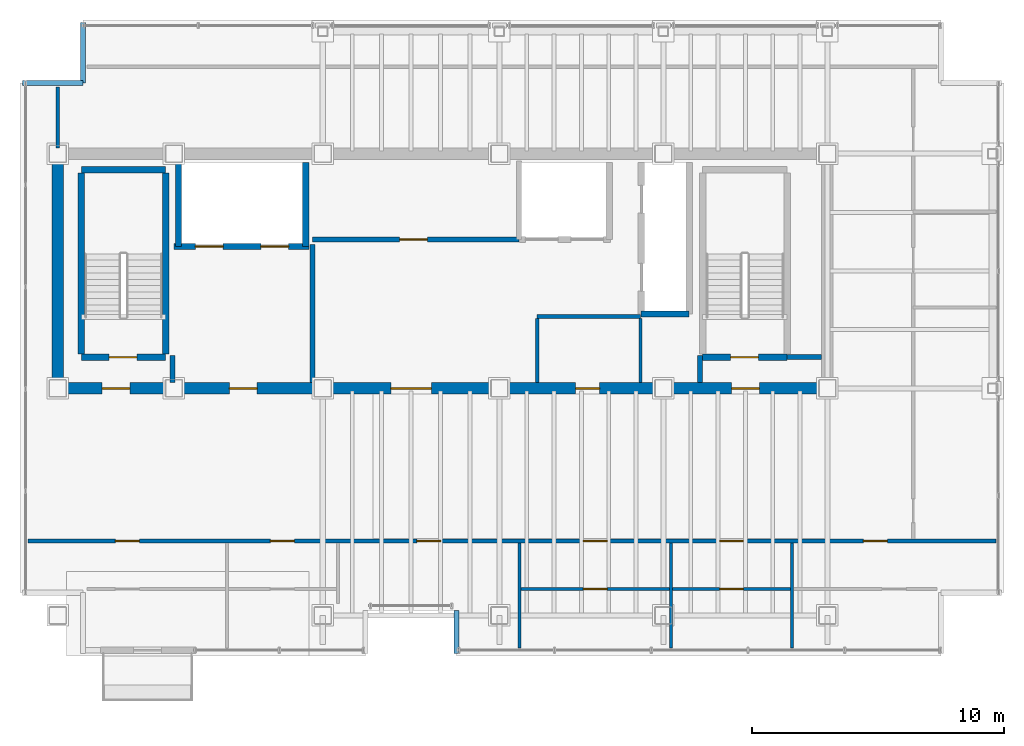
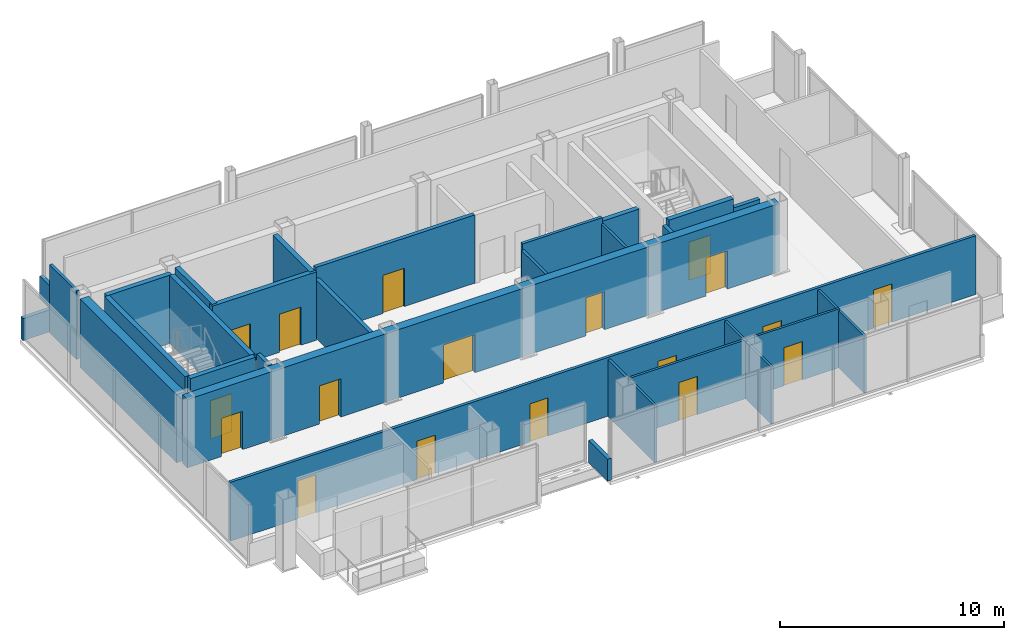
# One storey, part 15 of 17: 29 walls, 18 doors, 18 openings.
"""IFC4 building model written with IfcOpenShell, lengths in metres."""

from ifc_helpers import new_model, si_unit, direction, frame, frame_2d, origin, place, context, subcontext, project, spatial, rectangle, extrude, material, layer, layer_set, type_object, element, fill, save


model = new_model("IFC4")

# Units and contexts
model_context = context("Model", 3, precision=1e-05, world=origin(), true_north=direction((0.0, 1.0)))
body_context = subcontext(model_context, "Body", "Model", "MODEL_VIEW")
ifc_project = project(units=[si_unit("LENGTHUNIT", "METRE"), si_unit("AREAUNIT", "SQUARE_METRE"), si_unit("VOLUMEUNIT", "CUBIC_METRE"), si_unit("PLANEANGLEUNIT", "RADIAN"), si_unit("MASSUNIT", "GRAM", prefix="KILO")], contexts=[model_context])

# Site, building, storey
site_placement = place(None, origin())
site = spatial("IfcSite", under=ifc_project, at=site_placement, CompositionType="ELEMENT")
building_placement = place(site_placement, origin())
building = spatial("IfcBuilding", under=site, at=building_placement, Name="Noeulbin Bourse Tower", CompositionType="ELEMENT")
storey_placement = place(building_placement, frame((0.0, 0.0, 296.89990234375)))
storey = spatial("IfcBuildingStorey", under=building, at=storey_placement, Name="L74", CompositionType="ELEMENT", Elevation=296.89990234375)

# Wall, openings, doors
ifc_material_1 = material(Name="Concrete C50/60", Category="concrete")
ifc_layer_1 = layer(ifc_material_1, 0.449951171875)
ifc_layer_set_1 = layer_set([ifc_layer_1], Name="Concrete C50/60")
wall_type_1 = type_object("IfcWallType", Name="WAL-CORE-450", PredefinedType="SHEAR", material=ifc_layer_set_1)
wall_1_placement = place(storey_placement, frame((13.5, 29.0, 0.0), z_axis=(0.0, 0.0, 1.0), x_axis=(1.0, 0.0, 0.0)))
wall_1 = element("IfcWall", 1, at=wall_1_placement, inside=storey, type_object=wall_type_1, Name="Rear Core South Shear Wall L74", PredefinedType="SHEAR", context=body_context, shape_type="SweptSolid", body=[
    extrude(rectangle(XDim=30.5, YDim=0.449951171875, at=frame_2d((15.25, 0.0))), origin(), (0.0, 0.0, 1.0), 3.72021484375),
])
opening_1_placement = place(wall_1_placement, frame((1.75, 0.0, 0.0)))
opening_1 = element("IfcOpeningElement", 2, at=opening_1_placement, cuts=wall_1, Name="Opening FD-11", PredefinedType="OPENING", context=body_context, shape_type="SweptSolid", body=[
    extrude(rectangle(XDim=1.10009765625, YDim=2.080078125, at=frame_2d((0.550048828125, 1.0400390625))), frame((0.0, 0.23486328125, 0.0), z_axis=(0.0, -1.0, 0.0), x_axis=(1.0, 0.0, 0.0)), (0.0, 0.0, 1.0), 0.469970703125),
])
opening_2_placement = place(wall_1_placement, frame((26.699951171875, 0.0, 0.0)))
opening_2 = element("IfcOpeningElement", 3, at=opening_2_placement, cuts=wall_1, Name="Opening FD-11", PredefinedType="OPENING", context=body_context, shape_type="SweptSolid", body=[
    extrude(rectangle(XDim=1.10009765625, YDim=2.080078125, at=frame_2d((0.550048828125, 1.0400390625))), frame((0.0, 0.23486328125, 0.0), z_axis=(0.0, -1.0, 0.0), x_axis=(1.0, 0.0, 0.0)), (0.0, 0.0, 1.0), 0.469970703125),
])
opening_3_placement = place(wall_1_placement, frame((6.800048828125, 0.0, 0.0)))
opening_3 = element("IfcOpeningElement", 4, at=opening_3_placement, cuts=wall_1, Name="Opening FD-11", PredefinedType="OPENING", context=body_context, shape_type="SweptSolid", body=[
    extrude(rectangle(XDim=1.10009765625, YDim=2.080078125, at=frame_2d((0.550048828125, 1.0400390625))), frame((0.0, 0.23486328125, 0.0), z_axis=(0.0, -1.0, 0.0), x_axis=(1.0, 0.0, 0.0)), (0.0, 0.0, 1.0), 0.469970703125),
])
opening_4_placement = place(wall_1_placement, frame((13.199951171875, 0.0, 0.0)))
opening_4 = element("IfcOpeningElement", 5, at=opening_4_placement, cuts=wall_1, Name="Opening ID-16", PredefinedType="OPENING", context=body_context, shape_type="SweptSolid", body=[
    extrude(rectangle(XDim=1.60009765625, YDim=2.080078125, at=frame_2d((0.800048828125, 1.0400390625))), frame((0.0, 0.23486328125, 0.0), z_axis=(0.0, -1.0, 0.0), x_axis=(1.0, 0.0, 0.0)), (0.0, 0.0, 1.0), 0.469970703125),
])
opening_5_placement = place(wall_1_placement, frame((20.52490234375, 0.0, 0.0)))
opening_5 = element("IfcOpeningElement", 6, at=opening_5_placement, cuts=wall_1, Name="Opening ID-09", PredefinedType="OPENING", context=body_context, shape_type="SweptSolid", body=[
    extrude(rectangle(XDim=0.949951171875, YDim=2.080078125, at=frame_2d((0.47509765625, 1.0400390625))), frame((0.0, 0.23486328125, 0.0), z_axis=(0.0, -1.0, 0.0), x_axis=(1.0, 0.0, 0.0)), (0.0, 0.0, 1.0), 0.469970703125),
])
ifc_material_2 = material(Name="Acoustic Glazed Aluminium", Category="aluminium")
door_type_1 = type_object("IfcDoorType", Name="DR-DBL-1600", OperationType="DOUBLE_DOOR_SINGLE_SWING", PredefinedType="DOOR", material=ifc_material_2)
door_1_placement = place(opening_4_placement, origin())
door_1 = element("IfcDoor", 7, at=door_1_placement, inside=storey, type_object=door_type_1, Name="Passenger Lift Lobby Portal L74", OperationType="DOUBLE_DOOR_SINGLE_SWING", OverallHeight=2.080078125, OverallWidth=1.60009765625, PredefinedType="DOOR", context=body_context, shape_type="SweptSolid", body=[
    extrude(rectangle(XDim=1.60009765625, YDim=2.080078125, at=frame_2d((0.800048828125, 1.0400390625))), frame((0.0, 0.02490234375, 0.0), z_axis=(0.0, -1.0, 0.0), x_axis=(1.0, 0.0, 0.0)), (0.0, 0.0, 1.0), 0.050048828125),
])
fill(opening_4, door_1)
ifc_material_3 = material(Name="Fire-Rated Insulated Steel", Category="steel")
door_type_2 = type_object("IfcDoorType", Name="DR-FD60-1100", OperationType="SINGLE_SWING_LEFT", PredefinedType="DOOR", material=ifc_material_3)
door_2_placement = place(opening_1_placement, origin())
door_2 = element("IfcDoor", 8, at=door_2_placement, inside=storey, type_object=door_type_2, Name="West Stair Lobby Door L74", OperationType="SINGLE_SWING_RIGHT", OverallHeight=2.080078125, OverallWidth=1.10009765625, PredefinedType="DOOR", context=body_context, shape_type="SweptSolid", body=[
    extrude(rectangle(XDim=1.10009765625, YDim=2.080078125, at=frame_2d((0.550048828125, 1.0400390625))), frame((0.0, 0.02490234375, 0.0), z_axis=(0.0, -1.0, 0.0), x_axis=(1.0, 0.0, 0.0)), (0.0, 0.0, 1.0), 0.050048828125),
])
fill(opening_1, door_2)
door_3_placement = place(opening_2_placement, origin())
door_3 = element("IfcDoor", 9, at=door_3_placement, inside=storey, type_object=door_type_2, Name="East Stair Lobby Door L74", OperationType="SINGLE_SWING_LEFT", OverallHeight=2.080078125, OverallWidth=1.10009765625, PredefinedType="DOOR", context=body_context, shape_type="SweptSolid", body=[
    extrude(rectangle(XDim=1.10009765625, YDim=2.080078125, at=frame_2d((0.550048828125, 1.0400390625))), frame((0.0, 0.02490234375, 0.0), z_axis=(0.0, -1.0, 0.0), x_axis=(1.0, 0.0, 0.0)), (0.0, 0.0, 1.0), 0.050048828125),
])
fill(opening_2, door_3)
door_4_placement = place(opening_3_placement, origin())
door_4 = element("IfcDoor", 10, at=door_4_placement, inside=storey, type_object=door_type_2, Name="Firefighting Lobby Door L74", OperationType="SINGLE_SWING_RIGHT", OverallHeight=2.080078125, OverallWidth=1.10009765625, PredefinedType="DOOR", context=body_context, shape_type="SweptSolid", body=[
    extrude(rectangle(XDim=1.10009765625, YDim=2.080078125, at=frame_2d((0.550048828125, 1.0400390625))), frame((0.0, 0.02490234375, 0.0), z_axis=(0.0, -1.0, 0.0), x_axis=(1.0, 0.0, 0.0)), (0.0, 0.0, 1.0), 0.050048828125),
])
fill(opening_3, door_4)
ifc_material_4 = material(Name="Acoustic Solid-Core Timber", Category="wood")
door_type_3 = type_object("IfcDoorType", Name="DR-SINGLE-950", OperationType="SINGLE_SWING_LEFT", PredefinedType="DOOR", material=ifc_material_4)
door_5_placement = place(opening_5_placement, origin())
door_5 = element("IfcDoor", 11, at=door_5_placement, inside=storey, type_object=door_type_3, Name="Interior Door L74-06", OperationType="SINGLE_SWING_LEFT", OverallHeight=2.080078125, OverallWidth=0.949951171875, PredefinedType="DOOR", context=body_context, shape_type="SweptSolid", body=[
    extrude(rectangle(XDim=0.949951171875, YDim=2.080078125, at=frame_2d((0.47509765625, 1.0400390625))), frame((0.0, 0.02490234375, 0.0), z_axis=(0.0, -1.0, 0.0), x_axis=(1.0, 0.0, 0.0)), (0.0, 0.0, 1.0), 0.050048828125),
])
fill(opening_5, door_5)

# Walls
wall_2_placement = place(storey_placement, frame((13.5, 29.35009765625, 0.0), z_axis=(0.0, 0.0, 1.0), x_axis=(0.0, 1.0, 0.0)))
element("IfcWall", 12, at=wall_2_placement, inside=storey, type_object=wall_type_1, Name="Rear Core West Shear Wall L74", PredefinedType="SHEAR", context=body_context, shape_type="SweptSolid", body=[
    extrude(rectangle(XDim=8.599853515625, YDim=0.449951171875, at=frame_2d((4.2998046875, 0.0))), origin(), (0.0, 0.0, 1.0), 3.72021484375),
])
ifc_material_5 = material(Name="Concrete C40/50", Category="concrete")
ifc_layer_2 = layer(ifc_material_5, 0.199951171875)
ifc_layer_set_2 = layer_set([ifc_layer_2], Name="Concrete C40/50")
wall_type_2 = type_object("IfcWallType", Name="WAL-FIRE-200", PredefinedType="STANDARD", material=ifc_layer_set_2)
wall_3_placement = place(storey_placement, frame((42.39990234375, 30.239990234375, 0.0), z_axis=(0.0, 0.0, 1.0), x_axis=(1.0, 0.0, 0.0)))
element("IfcWall", 13, at=wall_3_placement, inside=storey, type_object=wall_type_2, Name="Interior Partition Wall L74-01", PredefinedType="STANDARD", context=body_context, shape_type="SweptSolid", body=[
    extrude(rectangle(XDim=1.364990234375, YDim=0.199951171875, at=frame_2d((0.6826171875, 0.0))), origin(), (0.0, 0.0, 1.0), 3.2001953125),
])

# Wall, opening, door
wall_4_placement = place(storey_placement, frame((23.60009765625, 34.89990234375, 0.0), z_axis=(0.0, 0.0, 1.0), x_axis=(1.0, 0.0, 0.0)))
wall_4 = element("IfcWall", 14, at=wall_4_placement, inside=storey, type_object=wall_type_2, Name="Interior Partition Wall L74-02", PredefinedType="STANDARD", context=body_context, shape_type="SweptSolid", body=[
    extrude(rectangle(XDim=8.179931640625, YDim=0.199951171875, at=frame_2d((4.08984375, 0.0))), origin(), (0.0, 0.0, 1.0), 3.72021484375),
])
opening_6_placement = place(wall_4_placement, frame((3.449951171875, 0.0, 0.0)))
opening_6 = element("IfcOpeningElement", 15, at=opening_6_placement, cuts=wall_4, Name="Opening FD-11", PredefinedType="OPENING", context=body_context, shape_type="SweptSolid", body=[
    extrude(rectangle(XDim=1.10009765625, YDim=2.080078125, at=frame_2d((0.550048828125, 1.0400390625))), frame((0.0, 0.10986328125, 0.0), z_axis=(0.0, -1.0, 0.0), x_axis=(1.0, 0.0, 0.0)), (0.0, 0.0, 1.0), 0.219970703125),
])
door_6_placement = place(opening_6_placement, origin())
door_6 = element("IfcDoor", 16, at=door_6_placement, inside=storey, type_object=door_type_2, Name="Telemetry Server Door L74", OperationType="SINGLE_SWING_RIGHT", OverallHeight=2.080078125, OverallWidth=1.10009765625, PredefinedType="DOOR", context=body_context, shape_type="SweptSolid", body=[
    extrude(rectangle(XDim=1.10009765625, YDim=2.080078125, at=frame_2d((0.550048828125, 1.0400390625))), frame((0.0, 0.02490234375, 0.0), z_axis=(0.0, -1.0, 0.0), x_axis=(1.0, 0.0, 0.0)), (0.0, 0.0, 1.0), 0.050048828125),
])
fill(opening_6, door_6)

# Walls
wall_5_placement = place(storey_placement, frame((18.050048828125, 29.235107421875, 0.0), z_axis=(0.0, 0.0, 1.0), x_axis=(0.0, 1.0, 0.0)))
element("IfcWall", 17, at=wall_5_placement, inside=storey, type_object=wall_type_2, Name="Interior Partition Wall L74-13", PredefinedType="STANDARD", context=body_context, shape_type="SweptSolid", body=[
    extrude(rectangle(XDim=1.06494140625, YDim=0.199951171875, at=frame_2d((0.532470703125, 0.0))), origin(), (0.0, 0.0, 1.0), 3.72021484375),
])
wall_6_placement = place(storey_placement, frame((38.949951171875, 29.235107421875, 0.0), z_axis=(0.0, 0.0, 1.0), x_axis=(0.0, 1.0, 0.0)))
element("IfcWall", 18, at=wall_6_placement, inside=storey, type_object=wall_type_2, Name="Interior Partition Wall L74-14", PredefinedType="STANDARD", context=body_context, shape_type="SweptSolid", body=[
    extrude(rectangle(XDim=1.06494140625, YDim=0.199951171875, at=frame_2d((0.532470703125, 0.0))), origin(), (0.0, 0.0, 1.0), 3.400146484375),
])
wall_7_placement = place(storey_placement, frame((23.60009765625, 29.235107421875, 0.0), z_axis=(0.0, 0.0, 1.0), x_axis=(0.0, 1.0, 0.0)))
element("IfcWall", 19, at=wall_7_placement, inside=storey, type_object=wall_type_2, Name="Interior Partition Wall L74-15", PredefinedType="STANDARD", context=body_context, shape_type="SweptSolid", body=[
    extrude(rectangle(XDim=5.46484375, YDim=0.199951171875, at=frame_2d((2.732421875, 0.0))), origin(), (0.0, 0.0, 1.0), 3.2001953125),
])
ifc_layer_3 = layer(ifc_material_5, 0.199951171875)
ifc_layer_set_3 = layer_set([ifc_layer_3], Name="Concrete C40/50")
wall_type_3 = type_object("IfcWallType", Name="WAL-PAR-200", PredefinedType="PARAPET", material=ifc_layer_set_3)
for number, where, z_axis, x_axis, name in (
    (20, (12.10009765625, 41.10009765625, 0.0), (0.0, 0.0, 1.0), (1.0, 0.0, 0.0), "Corner Notch Parapet L74-NW1"),
    (21, (14.5, 41.10009765625, 0.0), (0.0, 0.0, 1.0), (0.0, 1.0, 0.0), "Corner Notch Parapet L74-NW2"),
):
    element("IfcWall", number, at=place(storey_placement, frame(where, z_axis=z_axis, x_axis=x_axis)), inside=storey, type_object=wall_type_3, Name=name, PredefinedType="PARAPET", context=body_context, shape_type="SweptSolid", body=[
        extrude(rectangle(XDim=2.39990234375, YDim=0.199951171875, at=frame_2d((1.199951171875, 0.0))), origin(), (0.0, 0.0, 1.0), 1.2001953125),
    ])
wall_8_placement = place(storey_placement, frame((29.300048828125, 20.199951171875, 0.0), z_axis=(0.0, 0.0, 1.0), x_axis=(0.0, -1.0, 0.0)))
element("IfcWall", 22, at=wall_8_placement, inside=storey, type_object=wall_type_3, Name="Sky-Garden Recess Parapet L74-E", PredefinedType="PARAPET", context=body_context, shape_type="SweptSolid", body=[
    extrude(rectangle(XDim=1.699951171875, YDim=0.199951171875, at=frame_2d((0.85009765625, 0.0))), origin(), (0.0, 0.0, 1.0), 1.2001953125),
])

# Wall, opening, door
ifc_material_6 = material(Name="Steel Stud Gypsum Partition", Category="steel")
ifc_layer_4 = layer(ifc_material_6, 0.1201171875)
ifc_layer_set_4 = layer_set([ifc_layer_4], Name="Steel Stud Gypsum Partition")
wall_type_4 = type_object("IfcWallType", Name="WAL-PRT-120", PredefinedType="PARTITIONING", material=ifc_layer_set_4)
wall_9_placement = place(storey_placement, frame((31.800048828125, 21.050048828125, 0.0), z_axis=(0.0, 0.0, 1.0), x_axis=(1.0, 0.0, 0.0)))
wall_9 = element("IfcWall", 23, at=wall_9_placement, inside=storey, type_object=wall_type_4, Name="Interior Partition Wall L74-07", PredefinedType="PARTITIONING", context=body_context, shape_type="SweptSolid", body=[
    extrude(rectangle(XDim=6.0, YDim=0.1201171875, at=frame_2d((3.0, 0.0))), origin(), (0.0, 0.0, 1.0), 3.2001953125),
])
opening_7_placement = place(wall_9_placement, frame((2.52490234375, 0.0, 0.0)))
opening_7 = element("IfcOpeningElement", 24, at=opening_7_placement, cuts=wall_9, Name="Opening ID-09", PredefinedType="OPENING", context=body_context, shape_type="SweptSolid", body=[
    extrude(rectangle(XDim=0.949951171875, YDim=2.080078125, at=frame_2d((0.47509765625, 1.0400390625))), frame((0.0, 0.070068359375, 0.0), z_axis=(0.0, -1.0, 0.0), x_axis=(1.0, 0.0, 0.0)), (0.0, 0.0, 1.0), 0.14013671875),
])
door_7_placement = place(opening_7_placement, origin())
door_7 = element("IfcDoor", 25, at=door_7_placement, inside=storey, type_object=door_type_3, Name="Interior Door L74-12", OperationType="SINGLE_SWING_LEFT", OverallHeight=2.080078125, OverallWidth=0.949951171875, PredefinedType="DOOR", context=body_context, shape_type="SweptSolid", body=[
    extrude(rectangle(XDim=0.949951171875, YDim=2.080078125, at=frame_2d((0.47509765625, 1.0400390625))), frame((0.0, 0.02490234375, 0.0), z_axis=(0.0, -1.0, 0.0), x_axis=(1.0, 0.0, 0.0)), (0.0, 0.0, 1.0), 0.050048828125),
])
fill(opening_7, door_7)

wall_10_placement = place(storey_placement, frame((37.800048828125, 21.050048828125, 0.0), z_axis=(0.0, 0.0, 1.0), x_axis=(1.0, 0.0, 0.0)))
wall_10 = element("IfcWall", 26, at=wall_10_placement, inside=storey, type_object=wall_type_4, Name="Interior Partition Wall L74-08", PredefinedType="PARTITIONING", context=body_context, shape_type="SweptSolid", body=[
    extrude(rectangle(XDim=4.800048828125, YDim=0.1201171875, at=frame_2d((2.39990234375, 0.0))), origin(), (0.0, 0.0, 1.0), 3.2001953125),
])
opening_8_placement = place(wall_10_placement, frame((1.925048828125, 0.0, 0.0)))
opening_8 = element("IfcOpeningElement", 27, at=opening_8_placement, cuts=wall_10, Name="Opening ID-09", PredefinedType="OPENING", context=body_context, shape_type="SweptSolid", body=[
    extrude(rectangle(XDim=0.949951171875, YDim=2.080078125, at=frame_2d((0.47509765625, 1.0400390625))), frame((0.0, 0.070068359375, 0.0), z_axis=(0.0, -1.0, 0.0), x_axis=(1.0, 0.0, 0.0)), (0.0, 0.0, 1.0), 0.14013671875),
])
door_8_placement = place(opening_8_placement, origin())
door_8 = element("IfcDoor", 28, at=door_8_placement, inside=storey, type_object=door_type_3, Name="Interior Door L74-14", OperationType="SINGLE_SWING_LEFT", OverallHeight=2.080078125, OverallWidth=0.949951171875, PredefinedType="DOOR", context=body_context, shape_type="SweptSolid", body=[
    extrude(rectangle(XDim=0.949951171875, YDim=2.080078125, at=frame_2d((0.47509765625, 1.0400390625))), frame((0.0, 0.02490234375, 0.0), z_axis=(0.0, -1.0, 0.0), x_axis=(1.0, 0.0, 0.0)), (0.0, 0.0, 1.0), 0.050048828125),
])
fill(opening_8, door_8)

# Walls
wall_11_placement = place(storey_placement, frame((36.60009765625, 29.235107421875, 0.0), z_axis=(0.0, 0.0, 1.0), x_axis=(0.0, 1.0, 0.0)))
element("IfcWall", 29, at=wall_11_placement, inside=storey, type_object=wall_type_4, Name="Interior Partition Wall L74-17", PredefinedType="PARTITIONING", context=body_context, shape_type="SweptSolid", body=[
    extrude(rectangle(XDim=2.52978515625, YDim=0.1201171875, at=frame_2d((1.264892578125, 0.0))), origin(), (0.0, 0.0, 1.0), 3.400146484375),
])
for number, where, z_axis, x_axis, name in (
    (30, (31.800048828125, 18.7099609375, 0.0), (0.0, 0.0, 1.0), (0.0, 1.0, 0.0), "Interior Partition Wall L74-21"),
    (31, (37.800048828125, 18.7099609375, 0.0), (0.0, 0.0, 1.0), (0.0, 1.0, 0.0), "Interior Partition Wall L74-22"),
    (32, (42.60009765625, 18.7099609375, 0.0), (0.0, 0.0, 1.0), (0.0, 1.0, 0.0), "Interior Partition Wall L74-23"),
):
    element("IfcWall", number, at=place(storey_placement, frame(where, z_axis=z_axis, x_axis=x_axis)), inside=storey, type_object=wall_type_4, Name=name, PredefinedType="PARTITIONING", context=body_context, shape_type="SweptSolid", body=[
        extrude(rectangle(XDim=4.155029296875, YDim=0.1201171875, at=frame_2d((2.07763671875, 0.0))), origin(), (0.0, 0.0, 1.0), 3.10009765625),
    ])
ifc_material_7 = material(Name="Steel Stud Acoustic Gypsum Board", Category="steel")
ifc_layer_5 = layer(ifc_material_7, 0.14990234375)
ifc_layer_set_5 = layer_set([ifc_layer_5], Name="Steel Stud Acoustic Gypsum Board")
wall_type_5 = type_object("IfcWallType", Name="WAL-PRT-150", PredefinedType="PARTITIONING", material=ifc_layer_set_5)
wall_12_placement = place(storey_placement, frame((32.5, 31.85009765625, 0.0), z_axis=(0.0, 0.0, 1.0), x_axis=(1.0, 0.0, 0.0)))
element("IfcWall", 33, at=wall_12_placement, inside=storey, type_object=wall_type_5, Name="Interior Partition Wall L74-03", PredefinedType="PARTITIONING", context=body_context, shape_type="SweptSolid", body=[
    extrude(rectangle(XDim=4.10009765625, YDim=0.14990234375, at=frame_2d((2.050048828125, 0.0))), origin(), (0.0, 0.0, 1.0), 3.72021484375),
])

# Wall, openings, doors
wall_13_placement = place(storey_placement, frame((12.31005859375, 22.949951171875, 0.0), z_axis=(0.0, 0.0, 1.0), x_axis=(1.0, 0.0, 0.0)))
wall_13 = element("IfcWall", 34, at=wall_13_placement, inside=storey, type_object=wall_type_5, Name="Interior Partition Wall L74-04", PredefinedType="PARTITIONING", context=body_context, shape_type="SweptSolid", body=[
    extrude(rectangle(XDim=38.3798828125, YDim=0.14990234375, at=frame_2d((19.18994140625, 0.0))), origin(), (0.0, 0.0, 1.0), 3.2001953125),
])
opening_9_placement = place(wall_13_placement, frame((3.469970703125, 0.0, 0.0)))
opening_9 = element("IfcOpeningElement", 35, at=opening_9_placement, cuts=wall_13, Name="Opening ID-09", PredefinedType="OPENING", context=body_context, shape_type="SweptSolid", body=[
    extrude(rectangle(XDim=0.949951171875, YDim=2.080078125, at=frame_2d((0.47509765625, 1.0400390625))), frame((0.0, 0.0849609375, 0.0), z_axis=(0.0, -1.0, 0.0), x_axis=(1.0, 0.0, 0.0)), (0.0, 0.0, 1.0), 0.169921875),
])
opening_10_placement = place(wall_13_placement, frame((9.614990234375, 0.0, 0.0)))
opening_10 = element("IfcOpeningElement", 36, at=opening_10_placement, cuts=wall_13, Name="Opening ID-09", PredefinedType="OPENING", context=body_context, shape_type="SweptSolid", body=[
    extrude(rectangle(XDim=0.949951171875, YDim=2.080078125, at=frame_2d((0.47509765625, 1.0400390625))), frame((0.0, 0.0849609375, 0.0), z_axis=(0.0, -1.0, 0.0), x_axis=(1.0, 0.0, 0.0)), (0.0, 0.0, 1.0), 0.169921875),
])
opening_11_placement = place(wall_13_placement, frame((15.4150390625, 0.0, 0.0)))
opening_11 = element("IfcOpeningElement", 37, at=opening_11_placement, cuts=wall_13, Name="Opening ID-09", PredefinedType="OPENING", context=body_context, shape_type="SweptSolid", body=[
    extrude(rectangle(XDim=0.949951171875, YDim=2.080078125, at=frame_2d((0.47509765625, 1.0400390625))), frame((0.0, 0.0849609375, 0.0), z_axis=(0.0, -1.0, 0.0), x_axis=(1.0, 0.0, 0.0)), (0.0, 0.0, 1.0), 0.169921875),
])
opening_12_placement = place(wall_13_placement, frame((22.014892578125, 0.0, 0.0)))
opening_12 = element("IfcOpeningElement", 38, at=opening_12_placement, cuts=wall_13, Name="Opening ID-09", PredefinedType="OPENING", context=body_context, shape_type="SweptSolid", body=[
    extrude(rectangle(XDim=0.949951171875, YDim=2.080078125, at=frame_2d((0.47509765625, 1.0400390625))), frame((0.0, 0.0849609375, 0.0), z_axis=(0.0, -1.0, 0.0), x_axis=(1.0, 0.0, 0.0)), (0.0, 0.0, 1.0), 0.169921875),
])
opening_13_placement = place(wall_13_placement, frame((27.4150390625, 0.0, 0.0)))
opening_13 = element("IfcOpeningElement", 39, at=opening_13_placement, cuts=wall_13, Name="Opening ID-09", PredefinedType="OPENING", context=body_context, shape_type="SweptSolid", body=[
    extrude(rectangle(XDim=0.949951171875, YDim=2.080078125, at=frame_2d((0.47509765625, 1.0400390625))), frame((0.0, 0.0849609375, 0.0), z_axis=(0.0, -1.0, 0.0), x_axis=(1.0, 0.0, 0.0)), (0.0, 0.0, 1.0), 0.169921875),
])
opening_14_placement = place(wall_13_placement, frame((33.114990234375, 0.0, 0.0)))
opening_14 = element("IfcOpeningElement", 40, at=opening_14_placement, cuts=wall_13, Name="Opening ID-09", PredefinedType="OPENING", context=body_context, shape_type="SweptSolid", body=[
    extrude(rectangle(XDim=0.949951171875, YDim=2.080078125, at=frame_2d((0.47509765625, 1.0400390625))), frame((0.0, 0.0849609375, 0.0), z_axis=(0.0, -1.0, 0.0), x_axis=(1.0, 0.0, 0.0)), (0.0, 0.0, 1.0), 0.169921875),
])
door_9_placement = place(opening_9_placement, origin())
door_9 = element("IfcDoor", 41, at=door_9_placement, inside=storey, type_object=door_type_3, Name="Interior Door L74-08", OperationType="SINGLE_SWING_LEFT", OverallHeight=2.080078125, OverallWidth=0.949951171875, PredefinedType="DOOR", context=body_context, shape_type="SweptSolid", body=[
    extrude(rectangle(XDim=0.949951171875, YDim=2.080078125, at=frame_2d((0.47509765625, 1.0400390625))), frame((0.0, 0.02490234375, 0.0), z_axis=(0.0, -1.0, 0.0), x_axis=(1.0, 0.0, 0.0)), (0.0, 0.0, 1.0), 0.050048828125),
])
fill(opening_9, door_9)
door_10_placement = place(opening_10_placement, origin())
door_10 = element("IfcDoor", 42, at=door_10_placement, inside=storey, type_object=door_type_3, Name="Interior Door L74-10", OperationType="SINGLE_SWING_LEFT", OverallHeight=2.080078125, OverallWidth=0.949951171875, PredefinedType="DOOR", context=body_context, shape_type="SweptSolid", body=[
    extrude(rectangle(XDim=0.949951171875, YDim=2.080078125, at=frame_2d((0.47509765625, 1.0400390625))), frame((0.0, 0.02490234375, 0.0), z_axis=(0.0, -1.0, 0.0), x_axis=(1.0, 0.0, 0.0)), (0.0, 0.0, 1.0), 0.050048828125),
])
fill(opening_10, door_10)
door_11_placement = place(opening_11_placement, origin())
door_11 = element("IfcDoor", 43, at=door_11_placement, inside=storey, type_object=door_type_3, Name="Interior Door L74-11", OperationType="SINGLE_SWING_RIGHT", OverallHeight=2.080078125, OverallWidth=0.949951171875, PredefinedType="DOOR", context=body_context, shape_type="SweptSolid", body=[
    extrude(rectangle(XDim=0.949951171875, YDim=2.080078125, at=frame_2d((0.47509765625, 1.0400390625))), frame((0.0, 0.02490234375, 0.0), z_axis=(0.0, -1.0, 0.0), x_axis=(1.0, 0.0, 0.0)), (0.0, 0.0, 1.0), 0.050048828125),
])
fill(opening_11, door_11)
door_12_placement = place(opening_12_placement, origin())
door_12 = element("IfcDoor", 44, at=door_12_placement, inside=storey, type_object=door_type_3, Name="Interior Door L74-13", OperationType="SINGLE_SWING_RIGHT", OverallHeight=2.080078125, OverallWidth=0.949951171875, PredefinedType="DOOR", context=body_context, shape_type="SweptSolid", body=[
    extrude(rectangle(XDim=0.949951171875, YDim=2.080078125, at=frame_2d((0.47509765625, 1.0400390625))), frame((0.0, 0.02490234375, 0.0), z_axis=(0.0, -1.0, 0.0), x_axis=(1.0, 0.0, 0.0)), (0.0, 0.0, 1.0), 0.050048828125),
])
fill(opening_12, door_12)
door_13_placement = place(opening_13_placement, origin())
door_13 = element("IfcDoor", 45, at=door_13_placement, inside=storey, type_object=door_type_3, Name="Interior Door L74-15", OperationType="SINGLE_SWING_RIGHT", OverallHeight=2.080078125, OverallWidth=0.949951171875, PredefinedType="DOOR", context=body_context, shape_type="SweptSolid", body=[
    extrude(rectangle(XDim=0.949951171875, YDim=2.080078125, at=frame_2d((0.47509765625, 1.0400390625))), frame((0.0, 0.02490234375, 0.0), z_axis=(0.0, -1.0, 0.0), x_axis=(1.0, 0.0, 0.0)), (0.0, 0.0, 1.0), 0.050048828125),
])
fill(opening_13, door_13)
door_14_placement = place(opening_14_placement, origin())
door_14 = element("IfcDoor", 46, at=door_14_placement, inside=storey, type_object=door_type_3, Name="Interior Door L74-17", OperationType="SINGLE_SWING_RIGHT", OverallHeight=2.080078125, OverallWidth=0.949951171875, PredefinedType="DOOR", context=body_context, shape_type="SweptSolid", body=[
    extrude(rectangle(XDim=0.949951171875, YDim=2.080078125, at=frame_2d((0.47509765625, 1.0400390625))), frame((0.0, 0.02490234375, 0.0), z_axis=(0.0, -1.0, 0.0), x_axis=(1.0, 0.0, 0.0)), (0.0, 0.0, 1.0), 0.050048828125),
])
fill(opening_14, door_14)

# Walls
wall_14_placement = place(storey_placement, frame((32.5, 29.235107421875, 0.0), z_axis=(0.0, 0.0, 1.0), x_axis=(0.0, 1.0, 0.0)))
element("IfcWall", 47, at=wall_14_placement, inside=storey, type_object=wall_type_5, Name="Interior Partition Wall L74-16", PredefinedType="PARTITIONING", context=body_context, shape_type="SweptSolid", body=[
    extrude(rectangle(XDim=2.52978515625, YDim=0.14990234375, at=frame_2d((1.264892578125, 0.0))), origin(), (0.0, 0.0, 1.0), 3.400146484375),
])
wall_15_placement = place(storey_placement, frame((13.5, 38.534912109375, 0.0), z_axis=(0.0, 0.0, 1.0), x_axis=(0.0, 1.0, 0.0)))
element("IfcWall", 48, at=wall_15_placement, inside=storey, type_object=wall_type_5, Name="Interior Partition Wall L74-24", PredefinedType="PARTITIONING", context=body_context, shape_type="SweptSolid", body=[
    extrude(rectangle(XDim=2.405029296875, YDim=0.14990234375, at=frame_2d((1.20263671875, 0.0))), origin(), (0.0, 0.0, 1.0), 3.72021484375),
])

# Wall, opening, door
ifc_layer_6 = layer(ifc_material_5, 0.25)
ifc_layer_set_6 = layer_set([ifc_layer_6], Name="Concrete C40/50")
wall_type_6 = type_object("IfcWallType", Name="WAL-SHFT-250", PredefinedType="STANDARD", material=ifc_layer_set_6)
wall_16_placement = place(storey_placement, frame((14.429931640625, 30.235107421875, 0.0), z_axis=(0.0, 0.0, 1.0), x_axis=(1.0, 0.0, 0.0)))
wall_16 = element("IfcWall", 49, at=wall_16_placement, inside=storey, type_object=wall_type_6, Name="Stair ST-1 South Shaft Wall L74", PredefinedType="STANDARD", context=body_context, shape_type="SweptSolid", body=[
    extrude(rectangle(XDim=3.340087890625, YDim=0.25, at=frame_2d((1.669921875, 0.0))), origin(), (0.0, 0.0, 1.0), 3.72021484375),
])
opening_15_placement = place(wall_16_placement, frame((1.10009765625, 0.0, 0.0)))
opening_15 = element("IfcOpeningElement", 50, at=opening_15_placement, cuts=wall_16, Name="Opening FD-11", PredefinedType="OPENING", context=body_context, shape_type="SweptSolid", body=[
    extrude(rectangle(XDim=1.10009765625, YDim=2.080078125, at=frame_2d((0.550048828125, 1.0400390625))), frame((0.0, 0.135009765625, 0.0), z_axis=(0.0, -1.0, 0.0), x_axis=(1.0, 0.0, 0.0)), (0.0, 0.0, 1.0), 0.27001953125),
])
door_15_placement = place(opening_15_placement, origin())
door_15 = element("IfcDoor", 51, at=door_15_placement, inside=storey, type_object=door_type_2, Name="Protected Stair Entry Door ST1-L74", OperationType="SINGLE_SWING_RIGHT", OverallHeight=2.080078125, OverallWidth=1.10009765625, PredefinedType="DOOR", context=body_context, shape_type="SweptSolid", body=[
    extrude(rectangle(XDim=1.10009765625, YDim=2.080078125, at=frame_2d((0.550048828125, 1.0400390625))), frame((0.0, 0.02490234375, 0.0), z_axis=(0.0, -1.0, 0.0), x_axis=(1.0, 0.0, 0.0)), (0.0, 0.0, 1.0), 0.050048828125),
])
fill(opening_15, door_15)

# Walls
wall_17_placement = place(storey_placement, frame((14.429931640625, 37.6689453125, 0.0), z_axis=(0.0, 0.0, 1.0), x_axis=(1.0, 0.0, 0.0)))
element("IfcWall", 52, at=wall_17_placement, inside=storey, type_object=wall_type_6, Name="Stair ST-1 North Shaft Wall L74", PredefinedType="STANDARD", context=body_context, shape_type="SweptSolid", body=[
    extrude(rectangle(XDim=3.340087890625, YDim=0.25, at=frame_2d((1.669921875, 0.0))), origin(), (0.0, 0.0, 1.0), 3.72021484375),
])
for number, where, z_axis, x_axis, name in (
    (53, (14.425048828125, 30.360107421875, 0.0), (0.0, 0.0, 1.0), (0.0, 1.0, 0.0), "Stair ST-1 West Shaft Wall L74"),
    (54, (17.77490234375, 30.360107421875, 0.0), (0.0, 0.0, 1.0), (0.0, 1.0, 0.0), "Stair ST-1 East Shaft Wall L74"),
):
    element("IfcWall", number, at=place(storey_placement, frame(where, z_axis=z_axis, x_axis=x_axis)), inside=storey, type_object=wall_type_6, Name=name, PredefinedType="STANDARD", context=body_context, shape_type="SweptSolid", body=[
        extrude(rectangle(XDim=7.183837890625, YDim=0.25, at=frame_2d((3.591796875, 0.0))), origin(), (0.0, 0.0, 1.0), 3.72021484375),
    ])

# Wall, opening, door
wall_18_placement = place(storey_placement, frame((39.06005859375, 30.235107421875, 0.0), z_axis=(0.0, 0.0, 1.0), x_axis=(1.0, 0.0, 0.0)))
wall_18 = element("IfcWall", 55, at=wall_18_placement, inside=storey, type_object=wall_type_6, Name="Stair ST-2 South Shaft Wall L74", PredefinedType="STANDARD", context=body_context, shape_type="SweptSolid", body=[
    extrude(rectangle(XDim=3.33984375, YDim=0.25, at=frame_2d((1.669921875, 0.0))), origin(), (0.0, 0.0, 1.0), 3.72021484375),
])
opening_16_placement = place(wall_18_placement, frame((1.10009765625, 0.0, 0.0)))
opening_16 = element("IfcOpeningElement", 56, at=opening_16_placement, cuts=wall_18, Name="Opening FD-11", PredefinedType="OPENING", context=body_context, shape_type="SweptSolid", body=[
    extrude(rectangle(XDim=1.10009765625, YDim=2.080078125, at=frame_2d((0.550048828125, 1.0400390625))), frame((0.0, 0.135009765625, 0.0), z_axis=(0.0, -1.0, 0.0), x_axis=(1.0, 0.0, 0.0)), (0.0, 0.0, 1.0), 0.27001953125),
])
door_16_placement = place(opening_16_placement, origin())
door_16 = element("IfcDoor", 57, at=door_16_placement, inside=storey, type_object=door_type_2, Name="Protected Stair Entry Door ST2-L74", OperationType="SINGLE_SWING_LEFT", OverallHeight=2.080078125, OverallWidth=1.10009765625, PredefinedType="DOOR", context=body_context, shape_type="SweptSolid", body=[
    extrude(rectangle(XDim=1.10009765625, YDim=2.080078125, at=frame_2d((0.550048828125, 1.0400390625))), frame((0.0, 0.02490234375, 0.0), z_axis=(0.0, -1.0, 0.0), x_axis=(1.0, 0.0, 0.0)), (0.0, 0.0, 1.0), 0.050048828125),
])
fill(opening_16, door_16)

# Wall, openings, doors
wall_19_placement = place(storey_placement, frame((18.10009765625, 34.6201171875, 0.0), z_axis=(0.0, 0.0, 1.0), x_axis=(1.0, 0.0, 0.0)))
wall_19 = element("IfcWall", 58, at=wall_19_placement, inside=storey, type_object=wall_type_6, Name="Firefighting Lift Shaft Front L74", PredefinedType="STANDARD", context=body_context, shape_type="SweptSolid", body=[
    extrude(rectangle(XDim=5.349853515625, YDim=0.25, at=frame_2d((2.6748046875, 0.0))), origin(), (0.0, 0.0, 1.0), 3.72021484375),
])
opening_17_placement = place(wall_19_placement, frame((0.85009765625, 0.0, 0.0)))
opening_17 = element("IfcOpeningElement", 59, at=opening_17_placement, cuts=wall_19, Name="Opening LD-11", PredefinedType="OPENING", context=body_context, shape_type="SweptSolid", body=[
    extrude(rectangle(XDim=1.10009765625, YDim=2.080078125, at=frame_2d((0.550048828125, 1.0400390625))), frame((0.0, 0.135009765625, 0.0), z_axis=(0.0, -1.0, 0.0), x_axis=(1.0, 0.0, 0.0)), (0.0, 0.0, 1.0), 0.27001953125),
])
opening_18_placement = place(wall_19_placement, frame((3.449951171875, 0.0, 0.0)))
opening_18 = element("IfcOpeningElement", 60, at=opening_18_placement, cuts=wall_19, Name="Opening LD-11", PredefinedType="OPENING", context=body_context, shape_type="SweptSolid", body=[
    extrude(rectangle(XDim=1.10009765625, YDim=2.080078125, at=frame_2d((0.550048828125, 1.0400390625))), frame((0.0, 0.135009765625, 0.0), z_axis=(0.0, -1.0, 0.0), x_axis=(1.0, 0.0, 0.0)), (0.0, 0.0, 1.0), 0.27001953125),
])
ifc_material_8 = material(Name="Brushed Stainless Steel 316", Category="steel")
door_type_4 = type_object("IfcDoorType", Name="DR-LIFT-1100", OperationType="SLIDING_TO_LEFT", PredefinedType="DOOR", material=ifc_material_8)
door_17_placement = place(opening_17_placement, origin())
door_17 = element("IfcDoor", 61, at=door_17_placement, inside=storey, type_object=door_type_4, Name="Lift Landing Door LD-FL-01-L74", OperationType="SLIDING_TO_LEFT", OverallHeight=2.080078125, OverallWidth=1.10009765625, PredefinedType="DOOR", context=body_context, shape_type="SweptSolid", body=[
    extrude(rectangle(XDim=1.10009765625, YDim=2.080078125, at=frame_2d((0.550048828125, 1.0400390625))), frame((0.0, 0.02490234375, 0.0), z_axis=(0.0, -1.0, 0.0), x_axis=(1.0, 0.0, 0.0)), (0.0, 0.0, 1.0), 0.050048828125),
])
fill(opening_17, door_17)
door_18_placement = place(opening_18_placement, origin())
door_18 = element("IfcDoor", 62, at=door_18_placement, inside=storey, type_object=door_type_4, Name="Lift Landing Door LD-FL-02-L74", OperationType="SLIDING_TO_LEFT", OverallHeight=2.080078125, OverallWidth=1.10009765625, PredefinedType="DOOR", context=body_context, shape_type="SweptSolid", body=[
    extrude(rectangle(XDim=1.10009765625, YDim=2.080078125, at=frame_2d((0.550048828125, 1.0400390625))), frame((0.0, 0.02490234375, 0.0), z_axis=(0.0, -1.0, 0.0), x_axis=(1.0, 0.0, 0.0)), (0.0, 0.0, 1.0), 0.050048828125),
])
fill(opening_18, door_18)

# Walls
wall_20_placement = place(storey_placement, frame((36.6201171875, 31.949951171875, 0.0), z_axis=(0.0, 0.0, 1.0), x_axis=(1.0, 0.0, 0.0)))
element("IfcWall", 63, at=wall_20_placement, inside=storey, type_object=wall_type_6, Name="Service Lift South Shaft Wall L74", PredefinedType="STANDARD", context=body_context, shape_type="SweptSolid", body=[
    extrude(rectangle(XDim=1.89990234375, YDim=0.25, at=frame_2d((0.949951171875, 0.0))), origin(), (0.0, 0.0, 1.0), 3.47998046875),
])
for number, where, z_axis, x_axis, name in (
    (64, (18.280029296875, 34.6201171875, 0.0), (0.0, 0.0, 1.0), (0.0, 1.0, 0.0), "Firefighting Lift West Shaft Wall L74"),
    (65, (23.320068359375, 34.6201171875, 0.0), (0.0, 0.0, 1.0), (0.0, 1.0, 0.0), "Firefighting Lift East Shaft Wall L74"),
):
    element("IfcWall", number, at=place(storey_placement, frame(where, z_axis=z_axis, x_axis=x_axis)), inside=storey, type_object=wall_type_6, Name=name, PredefinedType="STANDARD", context=body_context, shape_type="SweptSolid", body=[
        extrude(rectangle(XDim=3.329833984375, YDim=0.25, at=frame_2d((1.6650390625, 0.0))), origin(), (0.0, 0.0, 1.0), 3.72021484375),
    ])

save(model, "model.ifc")
